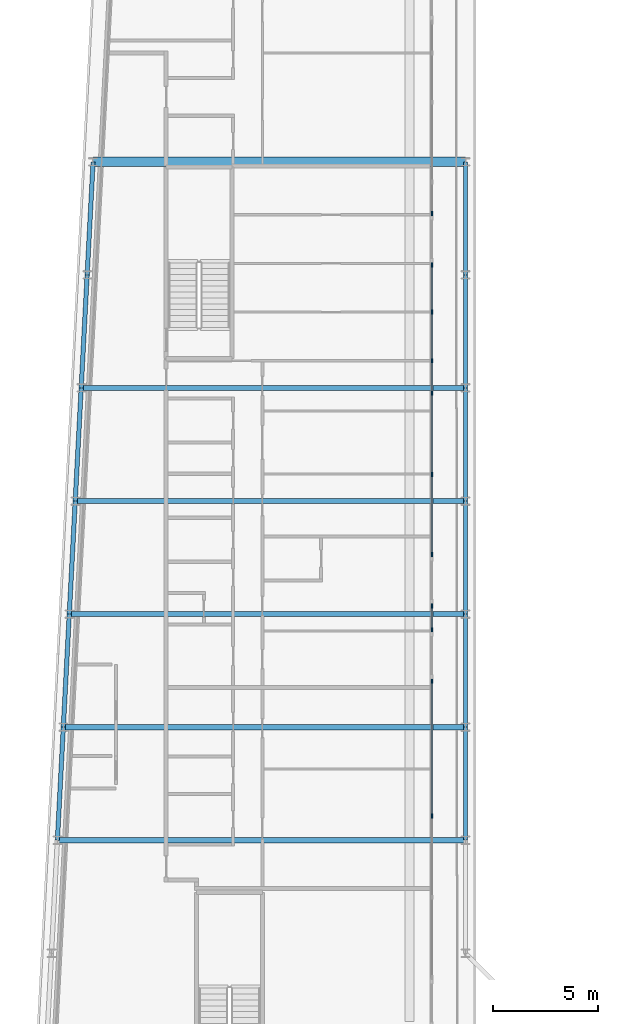
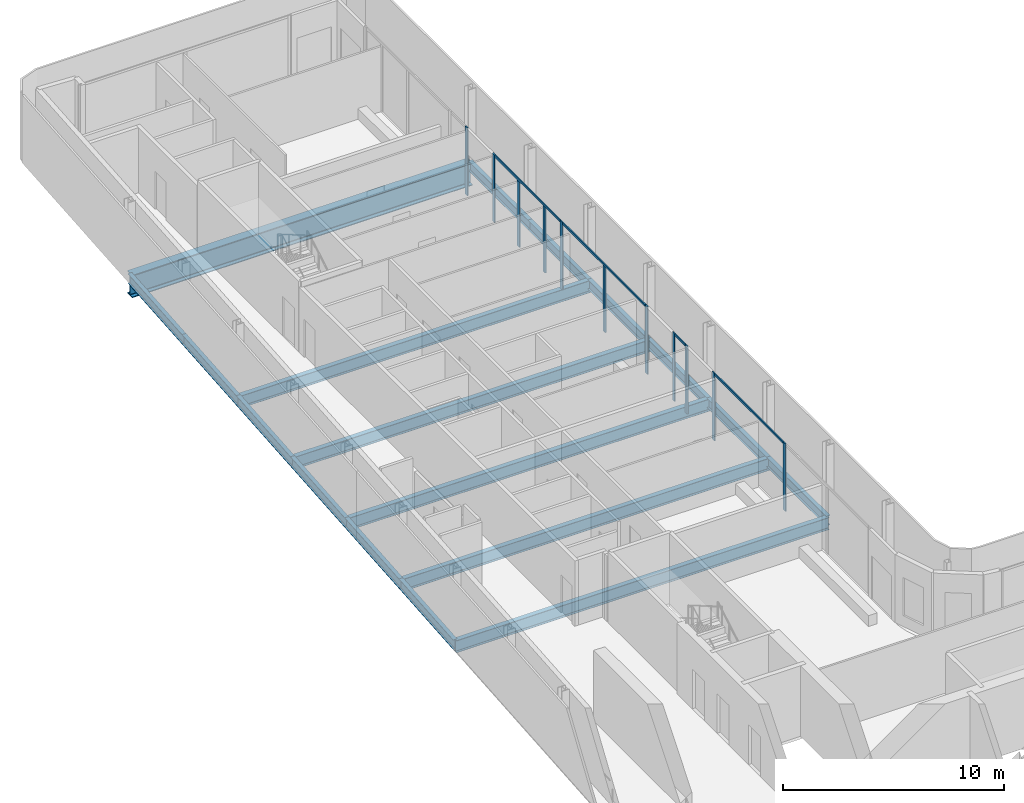
# One storey, part 7 of 21: 18 beams, 15 members, 5 elements without a shape of their own.
"""IFC4 building model written with IfcOpenShell, lengths in metres."""

import ifcopenshell
import ifcopenshell.guid

model = None  # the IFC model being written
_history = None  # IfcOwnerHistory: only IFC2X3 demands one
_inside = {}  # id of a spatial element -> (the spatial element, [elements in it])
_under = {}  # id of a project, library or spatial element -> (it, [spatial elements below it])
_declared = {}  # id of a project -> (the project, [libraries it declares])
_typed = {}  # id of a type object -> (the type object, [elements of that type])
_made_of = {}  # id of a material, layer set ... -> (it, [elements and type objects made of it])


def new_model(schema):
    """Start an empty IFC model of exactly this schema.

    Asked for "IFC4X3", IfcOpenShell would pick the latest addendum, in which some entities
    have other attributes; the version numbers below select the first issue.
    IFC2X3 requires an IfcOwnerHistory on every rooted entity: one is made here for all.
    """
    global model, _history
    if schema == "IFC4X3":
        model = ifcopenshell.file(schema_version=(4, 3, 0, 0))
    else:
        model = ifcopenshell.file(schema=schema)
    _inside.clear()
    _under.clear()
    _declared.clear()
    _typed.clear()
    _made_of.clear()
    _history = None
    if model.schema == "IFC2X3":
        org = make("IfcOrganization", Name="unknown")
        user = make(
            "IfcPersonAndOrganization",
            ThePerson=make("IfcPerson", FamilyName="unknown"),
            TheOrganization=org,
        )
        app = make(
            "IfcApplication",
            ApplicationDeveloper=org,
            Version="unknown",
            ApplicationFullName="unknown",
            ApplicationIdentifier="unknown",
        )
        _history = make(
            "IfcOwnerHistory",
            OwningUser=user,
            OwningApplication=app,
            ChangeAction="ADDED",
            CreationDate=0,
        )
    return model


def make(cls, **values):
    """One entity of the class cls with the attributes given. An attribute that is None is left unset."""
    return model.create_entity(
        cls, **{name: value for name, value in values.items() if value is not None}
    )


def rooted(cls, **values):
    """An entity with a GlobalId (a new one), such as an element, a storey or a relation."""
    return make(cls, GlobalId=ifcopenshell.guid.new(), OwnerHistory=_history, **values)


def si_unit(unit_type, name, prefix=None):
    """IfcSIUnit, for example si_unit("LENGTHUNIT", "METRE", prefix="MILLI")."""
    return make("IfcSIUnit", UnitType=unit_type, Prefix=prefix, Name=name)


def assignment(units):
    """IfcUnitAssignment: the units of a project."""
    return None if units is None else make("IfcUnitAssignment", Units=units)


def point(xyz):
    """IfcCartesianPoint."""
    return None if xyz is None else make("IfcCartesianPoint", Coordinates=xyz)


def direction(xyz):
    """IfcDirection."""
    return None if xyz is None else make("IfcDirection", DirectionRatios=xyz)


def frame(location, z_axis=None, x_axis=None):
    """IfcAxis2Placement3D, a coordinate frame: its origin and axes. An axis left out is left unset."""
    return make(
        "IfcAxis2Placement3D",
        Location=point(location),
        Axis=direction(z_axis),
        RefDirection=direction(x_axis),
    )


def frame_2d(location, x_axis=None):
    """IfcAxis2Placement2D, a coordinate frame in the plane: its origin and x axis."""
    return make(
        "IfcAxis2Placement2D", Location=point(location), RefDirection=direction(x_axis)
    )


def origin():
    """The frame at (0, 0, 0) with its axes left unset."""
    return frame((0.0, 0.0, 0.0))


def origin_2d():
    """The frame at (0, 0) in the plane with its x axis left unset."""
    return frame_2d((0.0, 0.0))


def place(relative_to, where):
    """IfcLocalPlacement: puts the frame where relative to a parent placement (None: the world)."""
    return make(
        "IfcLocalPlacement", PlacementRelTo=relative_to, RelativePlacement=where
    )


def context(
    kind, dimensions, precision=None, world=None, true_north=None, identifier=None
):
    """IfcGeometricRepresentationContext, for example the 3D "Model" context."""
    return make(
        "IfcGeometricRepresentationContext",
        ContextIdentifier=identifier,
        ContextType=kind,
        CoordinateSpaceDimension=dimensions,
        Precision=precision,
        WorldCoordinateSystem=world,
        TrueNorth=true_north,
    )


def subcontext(parent, identifier, kind, view, scale=None):
    """IfcGeometricRepresentationSubContext, for example "Body" below "Model"."""
    return make(
        "IfcGeometricRepresentationSubContext",
        ContextIdentifier=identifier,
        ContextType=kind,
        ParentContext=parent,
        TargetScale=scale,
        TargetView=view,
    )


def project(units=None, contexts=None):
    """IfcProject with its units and contexts."""
    return rooted(
        "IfcProject",
        Name="project",
        RepresentationContexts=contexts,
        UnitsInContext=assignment(units),
    )


def spatial(cls, under=None, at=None, **own):
    """A site, building, storey or space (cls), placed at a placement, below another one or the project."""
    s = rooted(cls, ObjectPlacement=at, **own)
    if under is not None:
        _under.setdefault(under.id(), (under, []))[1].append(s)
    return s


def profile(cls, at=None, kind="AREA", **sizes):
    """A parametric profile (cls). Its sizes go by their IFC names, for example OverallWidth=200.0."""
    return make(cls, ProfileType=kind, Position=at, **sizes)


def rectangle(**sizes):
    """IfcRectangleProfileDef."""
    return profile("IfcRectangleProfileDef", **sizes)


def i_section(**sizes):
    """IfcIShapeProfileDef."""
    return profile("IfcIShapeProfileDef", **sizes)


def extrude(swept, where, along, depth):
    """IfcExtrudedAreaSolid: the profile swept, set in the frame where, extruded along a direction by depth."""
    return make(
        "IfcExtrudedAreaSolid",
        SweptArea=swept,
        Position=where,
        ExtrudedDirection=direction(along),
        Depth=depth,
    )


def shape(context_of_items, identifier, shape_type, items):
    """IfcShapeRepresentation: the items that make up one representation, for example the "Body"."""
    return make(
        "IfcShapeRepresentation",
        ContextOfItems=context_of_items,
        RepresentationIdentifier=identifier,
        RepresentationType=shape_type,
        Items=items,
    )


def material(Name=None, Category=None):
    """IfcMaterial."""
    return make("IfcMaterial", Name=Name, Category=Category)


def layer(
    of_material, thickness, ventilated=None, Name=None, Category=None, Priority=None
):
    """IfcMaterialLayer: one layer of a wall or slab, of a material (None: an air gap)."""
    return make(
        "IfcMaterialLayer",
        Material=of_material,
        LayerThickness=thickness,
        IsVentilated=ventilated,
        Name=Name,
        Category=Category,
        Priority=Priority,
    )


def layer_set(layers, Name=None):
    """IfcMaterialLayerSet."""
    return make("IfcMaterialLayerSet", MaterialLayers=layers, LayerSetName=Name)


def material_profile(
    of_material, cross_section, Name=None, Category=None, Priority=None
):
    """IfcMaterialProfile: a cross section and its material."""
    return make(
        "IfcMaterialProfile",
        Name=Name,
        Material=of_material,
        Profile=cross_section,
        Priority=Priority,
        Category=Category,
    )


def profile_set(profiles, Name=None, composite=None):
    """IfcMaterialProfileSet."""
    return make(
        "IfcMaterialProfileSet",
        Name=Name,
        MaterialProfiles=profiles,
        CompositeProfile=composite,
    )


def made_of(thing, what):
    """Note that an element or type object is made of a material, layer set ...; save() writes the relation."""
    if what is not None:
        _made_of.setdefault(what.id(), (what, []))[1].append(thing)
    return thing


def type_object(cls, material=None, **own):
    """A type object (cls), such as IfcWallType, which elements share."""
    return made_of(rooted(cls, **own), material)


def element(
    cls,
    number,
    at=None,
    inside=None,
    cuts=None,
    type_object=None,
    material=None,
    context=None,
    identifier="Body",
    shape_type=None,
    held_by="IfcProductDefinitionShape",
    body=None,
    shapes=None,
    **own,
):
    """One element of the class cls, such as IfcWall. Its Tag is "e" and its number.

    at: its placement. inside: the storey or other place that contains it. cuts: it is an
    opening in that element (IfcRelVoidsElement). A single representation is given by context,
    identifier, shape_type and body (its items); several are given by shapes. held_by: the class
    of the entity that holds the representations. save() writes the other relations.
    """
    e = rooted(cls, Tag="e%d" % number, ObjectPlacement=at, **own)
    if body is not None:
        shapes = [shape(context, identifier, shape_type, body)]
    if shapes is not None:
        e.Representation = make(held_by, Representations=shapes)
    if inside is not None:
        _inside.setdefault(inside.id(), (inside, []))[1].append(e)
    if cuts is not None:
        rooted(
            "IfcRelVoidsElement", RelatingBuildingElement=cuts, RelatedOpeningElement=e
        )
    if type_object is not None:
        _typed.setdefault(type_object.id(), (type_object, []))[1].append(e)
    return made_of(e, material)


def aggregate(whole, parts):
    """IfcRelAggregates: a whole, such as a stair, and the parts it consists of."""
    return rooted("IfcRelAggregates", RelatingObject=whole, RelatedObjects=parts)


def save(model, path):
    """Write the relations noted so far, then the file.

    IfcRelAggregates (storeys below a building ...), IfcRelContainedInSpatialStructure (elements
    in a storey), IfcRelDefinesByType, IfcRelAssociatesMaterial and IfcRelDeclares: one each for
    every whole, place, type object, material and project.
    """
    for whole, parts in _under.values():
        aggregate(whole, parts)
    for where, things in _inside.values():
        rooted(
            "IfcRelContainedInSpatialStructure",
            RelatedElements=things,
            RelatingStructure=where,
        )
    for kind, things in _typed.values():
        rooted("IfcRelDefinesByType", RelatedObjects=things, RelatingType=kind)
    for what, things in _made_of.values():
        rooted("IfcRelAssociatesMaterial", RelatedObjects=things, RelatingMaterial=what)
    for by, libraries in _declared.values():
        rooted("IfcRelDeclares", RelatingContext=by, RelatedDefinitions=libraries)
    model.write(path)


model = new_model("IFC4")

# Units and contexts
model_context = context("Model", 3, precision=1e-05, world=origin(), true_north=direction((0.0, 1.0)))
body_context = subcontext(model_context, "Body", "Model", "MODEL_VIEW")
ifc_project = project(units=[si_unit("LENGTHUNIT", "METRE"), si_unit("AREAUNIT", "SQUARE_METRE"), si_unit("VOLUMEUNIT", "CUBIC_METRE"), si_unit("PLANEANGLEUNIT", "RADIAN"), si_unit("MASSUNIT", "GRAM", prefix="KILO")], contexts=[model_context])

# Site, building, storey
site_placement = place(None, origin())
site = spatial("IfcSite", under=ifc_project, at=site_placement, CompositionType="ELEMENT")
building_placement = place(site_placement, origin())
building = spatial("IfcBuilding", under=site, at=building_placement, Name="Kheshtan School and Residences Tower", CompositionType="ELEMENT")
storey_placement = place(building_placement, frame((0.0, 0.0, 278.60009765625)))
storey = spatial("IfcBuildingStorey", under=building, at=storey_placement, Name="L65", CompositionType="ELEMENT", Elevation=278.60009765625)

# Beams
ifc_material_1 = material(Name="Steel ASTM A992 Grade 50", Category="steel")
ifc_material_profile_1 = material_profile(ifc_material_1, i_section(OverallWidth=0.2529296875, OverallDepth=0.677978515625, WebThickness=0.01171875, FlangeThickness=0.016357421875, FilletRadius=0.0146484375, at=origin_2d()), Name="W690x125")
ifc_profile_set_1 = profile_set([ifc_material_profile_1], Name="Steel ASTM A992 Grade 50")
beam_type_1 = type_object("IfcBeamType", Name="Beam FB6 W690x125 ASTM A992 Grade 50", PredefinedType="BEAM", material=ifc_profile_set_1)
beam_1_placement = place(storey_placement, frame((47.60009765625, 78.0, -0.489013671875), z_axis=(-1.0, 0.0, 0.0), x_axis=(0.0, -1.0, 0.0)))
element("IfcBeam", 1, at=beam_1_placement, inside=storey, type_object=beam_type_1, Name="Floor beam C089", PredefinedType="BEAM", context=body_context, shape_type="SweptSolid", body=[
    extrude(i_section(OverallWidth=0.2529296875, OverallDepth=0.677978515625, WebThickness=0.01171875, FlangeThickness=0.016357421875, FilletRadius=0.0146484375, at=origin_2d()), origin(), (0.0, 0.0, 1.0), 18.357177734375),
])
beam_2_placement = place(storey_placement, frame((47.60009765625, 67.199951171875, -0.489013671875), z_axis=(-1.0, 0.0, 0.0), x_axis=(0.0, -1.0, 0.0)))
element("IfcBeam", 2, at=beam_2_placement, inside=storey, type_object=beam_type_1, Name="Floor beam C085", PredefinedType="BEAM", context=body_context, shape_type="SweptSolid", body=[
    extrude(i_section(OverallWidth=0.2529296875, OverallDepth=0.677978515625, WebThickness=0.01171875, FlangeThickness=0.016357421875, FilletRadius=0.0146484375, at=origin_2d()), origin(), (0.0, 0.0, 1.0), 18.926025390625),
])
beam_3_placement = place(storey_placement, frame((47.60009765625, 56.39990234375, -0.489013671875), z_axis=(-1.0, 0.0, 0.0), x_axis=(0.0, -1.0, 0.0)))
element("IfcBeam", 3, at=beam_3_placement, inside=storey, type_object=beam_type_1, Name="Floor beam C081", PredefinedType="BEAM", context=body_context, shape_type="SweptSolid", body=[
    extrude(i_section(OverallWidth=0.2529296875, OverallDepth=0.677978515625, WebThickness=0.01171875, FlangeThickness=0.016357421875, FilletRadius=0.0146484375, at=origin_2d()), origin(), (0.0, 0.0, 1.0), 19.494140625),
])
beam_4_placement = place(storey_placement, frame((28.389892578125, 61.800048828125, -0.489013671875), z_axis=(1.0, 0.0, 0.0), x_axis=(0.0, 1.0, 0.0)))
element("IfcBeam", 4, at=beam_4_placement, inside=storey, type_object=beam_type_1, Name="Floor beam C082", PredefinedType="BEAM", context=body_context, shape_type="SweptSolid", body=[
    extrude(i_section(OverallWidth=0.2529296875, OverallDepth=0.677978515625, WebThickness=0.01171875, FlangeThickness=0.016357421875, FilletRadius=0.0146484375, at=origin_2d()), origin(), (0.0, 0.0, 1.0), 19.210205078125),
])
beam_5_placement = place(storey_placement, frame((28.9580078125, 72.60009765625, -0.489013671875), z_axis=(1.0, 0.0, 0.0), x_axis=(0.0, 1.0, 0.0)))
element("IfcBeam", 5, at=beam_5_placement, inside=storey, type_object=beam_type_1, Name="Floor beam C086", PredefinedType="BEAM", context=body_context, shape_type="SweptSolid", body=[
    extrude(i_section(OverallWidth=0.2529296875, OverallDepth=0.677978515625, WebThickness=0.01171875, FlangeThickness=0.016357421875, FilletRadius=0.0146484375, at=origin_2d()), origin(), (0.0, 0.0, 1.0), 18.64208984375),
])
ifc_material_profile_2 = material_profile(ifc_material_1, i_section(OverallWidth=0.208984375, OverallDepth=0.532958984375, WebThickness=0.01025390625, FlangeThickness=0.015625, FilletRadius=0.013916015625, at=origin_2d()), Name="W530x92")
ifc_profile_set_2 = profile_set([ifc_material_profile_2], Name="Steel ASTM A992 Grade 50")
beam_type_2 = type_object("IfcBeamType", Name="Beam SP3 W530x92 ASTM A992 Grade 50", PredefinedType="BEAM", material=ifc_profile_set_2)
beam_6_placement = place(storey_placement, frame((47.60009765625, 88.800048828125, -0.41650390625), z_axis=(0.0, -1.0, 0.0), x_axis=(1.0, 0.0, 0.0)))
element("IfcBeam", 6, at=beam_6_placement, inside=storey, type_object=beam_type_2, Name="Spandrel beam C099-C091", PredefinedType="BEAM", context=body_context, shape_type="SweptSolid", body=[
    extrude(i_section(OverallWidth=0.208984375, OverallDepth=0.532958984375, WebThickness=0.01025390625, FlangeThickness=0.015625, FilletRadius=0.013916015625, at=origin_2d()), origin(), (0.0, 0.0, 1.0), 5.400146484375),
])
for number, where, z_axis, x_axis, name in (
    (7, (47.60009765625, 83.39990234375, -0.41650390625), (0.0, -1.0, 0.0), (1.0, 0.0, 0.0), "Spandrel beam C091-C089"),
    (8, (47.60009765625, 78.0, -0.41650390625), (0.0, -1.0, 0.0), (1.0, 0.0, 0.0), "Spandrel beam C089-C087"),
):
    element("IfcBeam", number, at=place(storey_placement, frame(where, z_axis=z_axis, x_axis=x_axis)), inside=storey, type_object=beam_type_2, Name=name, PredefinedType="BEAM", context=body_context, shape_type="SweptSolid", body=[
        extrude(i_section(OverallWidth=0.208984375, OverallDepth=0.532958984375, WebThickness=0.01025390625, FlangeThickness=0.015625, FilletRadius=0.013916015625, at=origin_2d()), origin(), (0.0, 0.0, 1.0), 5.39990234375),
    ])
beam_7_placement = place(storey_placement, frame((47.60009765625, 72.60009765625, -0.41650390625), z_axis=(0.0, -1.0, 0.0), x_axis=(1.0, 0.0, 0.0)))
element("IfcBeam", 9, at=beam_7_placement, inside=storey, type_object=beam_type_2, Name="Spandrel beam C087-C085", PredefinedType="BEAM", context=body_context, shape_type="SweptSolid", body=[
    extrude(i_section(OverallWidth=0.208984375, OverallDepth=0.532958984375, WebThickness=0.01025390625, FlangeThickness=0.015625, FilletRadius=0.013916015625, at=origin_2d()), origin(), (0.0, 0.0, 1.0), 5.400146484375),
])
beam_8_placement = place(storey_placement, frame((47.60009765625, 67.199951171875, -0.41650390625), z_axis=(0.0, -1.0, 0.0), x_axis=(1.0, 0.0, 0.0)))
element("IfcBeam", 10, at=beam_8_placement, inside=storey, type_object=beam_type_2, Name="Spandrel beam C085-C083", PredefinedType="BEAM", context=body_context, shape_type="SweptSolid", body=[
    extrude(i_section(OverallWidth=0.208984375, OverallDepth=0.532958984375, WebThickness=0.01025390625, FlangeThickness=0.015625, FilletRadius=0.013916015625, at=origin_2d()), origin(), (0.0, 0.0, 1.0), 5.39990234375),
])
beam_9_placement = place(storey_placement, frame((47.60009765625, 61.800048828125, -0.41650390625), z_axis=(0.0, -1.0, 0.0), x_axis=(1.0, 0.0, 0.0)))
element("IfcBeam", 11, at=beam_9_placement, inside=storey, type_object=beam_type_2, Name="Spandrel beam C083-C081", PredefinedType="BEAM", context=body_context, shape_type="SweptSolid", body=[
    extrude(i_section(OverallWidth=0.208984375, OverallDepth=0.532958984375, WebThickness=0.01025390625, FlangeThickness=0.015625, FilletRadius=0.013916015625, at=origin_2d()), origin(), (0.0, 0.0, 1.0), 5.400146484375),
])
beam_10_placement = place(storey_placement, frame((28.10595703125, 56.39990234375, -0.41650390625), z_axis=(0.05250670125, 0.998620571751, 0.0), x_axis=(-0.998620571751, 0.05250670125, 0.0)))
element("IfcBeam", 12, at=beam_10_placement, inside=storey, type_object=beam_type_2, Name="Spandrel beam C080-C082", PredefinedType="BEAM", context=body_context, shape_type="SweptSolid", body=[
    extrude(i_section(OverallWidth=0.208984375, OverallDepth=0.532958984375, WebThickness=0.01025390625, FlangeThickness=0.015625, FilletRadius=0.013916015625, at=origin_2d()), origin(), (0.0, 0.0, 1.0), 5.40771484375),
])
beam_11_placement = place(storey_placement, frame((28.389892578125, 61.800048828125, -0.41650390625), z_axis=(0.052554093665, 0.998618078766, 0.0), x_axis=(-0.998618078766, 0.052554093665, 0.0)))
element("IfcBeam", 13, at=beam_11_placement, inside=storey, type_object=beam_type_2, Name="Spandrel beam C082-C084", PredefinedType="BEAM", context=body_context, shape_type="SweptSolid", body=[
    extrude(i_section(OverallWidth=0.208984375, OverallDepth=0.532958984375, WebThickness=0.01025390625, FlangeThickness=0.015625, FilletRadius=0.013916015625, at=origin_2d()), origin(), (0.0, 0.0, 1.0), 5.407470703125),
])
beam_12_placement = place(storey_placement, frame((28.674072265625, 67.199951171875, -0.41650390625), z_axis=(0.05250670125, 0.998620571751, 0.0), x_axis=(-0.998620571751, 0.05250670125, 0.0)))
element("IfcBeam", 14, at=beam_12_placement, inside=storey, type_object=beam_type_2, Name="Spandrel beam C084-C086", PredefinedType="BEAM", context=body_context, shape_type="SweptSolid", body=[
    extrude(i_section(OverallWidth=0.208984375, OverallDepth=0.532958984375, WebThickness=0.01025390625, FlangeThickness=0.015625, FilletRadius=0.013916015625, at=origin_2d()), origin(), (0.0, 0.0, 1.0), 5.40771484375),
])
for number, where, z_axis, x_axis, name in (
    (15, (28.9580078125, 72.60009765625, -0.41650390625), (0.052689166816, 0.998610961136, 0.0), (-0.998610961136, 0.052689166816, 0.0), "Spandrel beam C086-C088"),
    (16, (29.242919921875, 78.0, -0.41650390625), (0.052554093665, 0.998618078766, 0.0), (-0.998618078766, 0.052554093665, 0.0), "Spandrel beam C088-C090"),
):
    element("IfcBeam", number, at=place(storey_placement, frame(where, z_axis=z_axis, x_axis=x_axis)), inside=storey, type_object=beam_type_2, Name=name, PredefinedType="BEAM", context=body_context, shape_type="SweptSolid", body=[
        extrude(i_section(OverallWidth=0.208984375, OverallDepth=0.532958984375, WebThickness=0.01025390625, FlangeThickness=0.015625, FilletRadius=0.013916015625, at=origin_2d()), origin(), (0.0, 0.0, 1.0), 5.407470703125),
    ])
beam_13_placement = place(storey_placement, frame((29.527099609375, 83.39990234375, -0.41650390625), z_axis=(0.05250670125, 0.998620571751, 0.0), x_axis=(-0.998620571751, 0.05250670125, 0.0)))
element("IfcBeam", 17, at=beam_13_placement, inside=storey, type_object=beam_type_2, Name="Spandrel beam C090-C098", PredefinedType="BEAM", context=body_context, shape_type="SweptSolid", body=[
    extrude(i_section(OverallWidth=0.208984375, OverallDepth=0.532958984375, WebThickness=0.01025390625, FlangeThickness=0.015625, FilletRadius=0.013916015625, at=origin_2d()), origin(), (0.0, 0.0, 1.0), 5.40771484375),
])

# Curtain wall, member
ifc_material_2 = material(Name="Clear low-e glass in thermally broken aluminium frame", Category="aluminium")
ifc_layer = layer(ifc_material_2, 0.199951171875)
ifc_layer_set = layer_set([ifc_layer], Name="Curtain wall CW-L")
curtain_wall_type = type_object("IfcCurtainWallType", Name="Curtain wall CW-L", PredefinedType="NOTDEFINED", material=ifc_layer_set)
curtain_wall_1_placement = place(storey_placement, origin())
curtain_wall_1 = element("IfcCurtainWall", 18, at=curtain_wall_1_placement, inside=storey, type_object=curtain_wall_type, Name="Curtain wall CWL8a", PredefinedType="NOTDEFINED")
ifc_material_3 = material(Name="Thermally broken aluminium, dark bronze anodised", Category="aluminium")
ifc_material_profile_3 = material_profile(ifc_material_3, rectangle(XDim=0.06005859375, YDim=0.199951171875, at=origin_2d()), Name="CW-L mullion 60x200")
ifc_profile_set_3 = profile_set([ifc_material_profile_3], Name="Thermally broken aluminium, dark bronze anodised")
member_type_1 = type_object("IfcMemberType", Name="CW-L mullion 60x200", PredefinedType="MULLION", material=ifc_profile_set_3)
member_1_placement = place(storey_placement, frame((46.0, 86.3359375, 0.0), z_axis=(0.0, 0.0, 1.0), x_axis=(1.0, 0.0, 0.0)))
member_1 = element("IfcMember", 19, at=member_1_placement, type_object=member_type_1, Name="CWL8a mullion 2", PredefinedType="MULLION", context=body_context, shape_type="SweptSolid", body=[
    extrude(rectangle(XDim=0.06005859375, YDim=0.199951171875, at=origin_2d()), origin(), (0.0, 0.0, 1.0), 3.75),
])
aggregate(curtain_wall_1, [member_1])

# Curtain wall, members
curtain_wall_2_placement = place(storey_placement, origin())
curtain_wall_2 = element("IfcCurtainWall", 20, at=curtain_wall_2_placement, inside=storey, type_object=curtain_wall_type, Name="Curtain wall CWL8b", PredefinedType="NOTDEFINED")
member_2_placement = place(storey_placement, frame((46.0, 83.8759765625, 0.0), z_axis=(0.0, 0.0, 1.0), x_axis=(1.0, 0.0, 0.0)))
member_2 = element("IfcMember", 21, at=member_2_placement, type_object=member_type_1, Name="CWL8b mullion 1", PredefinedType="MULLION", context=body_context, shape_type="SweptSolid", body=[
    extrude(rectangle(XDim=0.06005859375, YDim=0.199951171875, at=origin_2d()), origin(), (0.0, 0.0, 1.0), 3.75),
])
member_3_placement = place(storey_placement, frame((46.0, 81.625, 0.0), z_axis=(0.0, 0.0, 1.0), x_axis=(1.0, 0.0, 0.0)))
member_3 = element("IfcMember", 22, at=member_3_placement, type_object=member_type_1, Name="CWL8b mullion 2", PredefinedType="MULLION", context=body_context, shape_type="SweptSolid", body=[
    extrude(rectangle(XDim=0.06005859375, YDim=0.199951171875, at=origin_2d()), origin(), (0.0, 0.0, 1.0), 3.6298828125),
])
member_4_placement = place(storey_placement, frame((46.0, 79.300048828125, 0.0), z_axis=(0.0, 0.0, 1.0), x_axis=(1.0, 0.0, 0.0)))
member_4 = element("IfcMember", 23, at=member_4_placement, type_object=member_type_1, Name="CWL8b mullion 3", PredefinedType="MULLION", context=body_context, shape_type="SweptSolid", body=[
    extrude(rectangle(XDim=0.06005859375, YDim=0.199951171875, at=origin_2d()), origin(), (0.0, 0.0, 1.0), 3.6298828125),
])
member_5_placement = place(storey_placement, frame((46.0, 77.741943359375, 0.0), z_axis=(0.0, 0.0, 1.0), x_axis=(1.0, 0.0, 0.0)))
member_5 = element("IfcMember", 24, at=member_5_placement, type_object=member_type_1, Name="CWL8b mullion 4", PredefinedType="MULLION", context=body_context, shape_type="SweptSolid", body=[
    extrude(rectangle(XDim=0.06005859375, YDim=0.199951171875, at=origin_2d()), origin(), (0.0, 0.0, 1.0), 3.75),
])

curtain_wall_3_placement = place(storey_placement, origin())
curtain_wall_3 = element("IfcCurtainWall", 25, at=curtain_wall_3_placement, inside=storey, type_object=curtain_wall_type, Name="Curtain wall CWL8", PredefinedType="NOTDEFINED")
member_6_placement = place(storey_placement, frame((46.0, 73.864990234375, 0.0), z_axis=(0.0, 0.0, 1.0), x_axis=(1.0, 0.0, 0.0)))
member_6 = element("IfcMember", 26, at=member_6_placement, type_object=member_type_1, Name="CWL8 mullion 2", PredefinedType="MULLION", context=body_context, shape_type="SweptSolid", body=[
    extrude(rectangle(XDim=0.06005859375, YDim=0.199951171875, at=origin_2d()), origin(), (0.0, 0.0, 1.0), 3.6298828125),
])
member_7_placement = place(storey_placement, frame((46.0, 70.048095703125, 0.0), z_axis=(0.0, 0.0, 1.0), x_axis=(1.0, 0.0, 0.0)))
member_7 = element("IfcMember", 27, at=member_7_placement, type_object=member_type_1, Name="CWL8 mullion 3", PredefinedType="MULLION", context=body_context, shape_type="SweptSolid", body=[
    extrude(rectangle(XDim=0.06005859375, YDim=0.199951171875, at=origin_2d()), origin(), (0.0, 0.0, 1.0), 3.75),
])

curtain_wall_4_placement = place(storey_placement, origin())
curtain_wall_4 = element("IfcCurtainWall", 28, at=curtain_wall_4_placement, inside=storey, type_object=curtain_wall_type, Name="Curtain wall CWL8g", PredefinedType="NOTDEFINED")
member_8_placement = place(storey_placement, frame((46.0, 67.587890625, 0.0), z_axis=(0.0, 0.0, 1.0), x_axis=(1.0, 0.0, 0.0)))
member_8 = element("IfcMember", 29, at=member_8_placement, type_object=member_type_1, Name="CWL8g mullion 1", PredefinedType="MULLION", context=body_context, shape_type="SweptSolid", body=[
    extrude(rectangle(XDim=0.06005859375, YDim=0.199951171875, at=origin_2d()), origin(), (0.0, 0.0, 1.0), 3.75),
])
member_9_placement = place(storey_placement, frame((46.0, 66.447998046875, 0.0), z_axis=(0.0, 0.0, 1.0), x_axis=(1.0, 0.0, 0.0)))
member_9 = element("IfcMember", 30, at=member_9_placement, type_object=member_type_1, Name="CWL8g mullion 2", PredefinedType="MULLION", context=body_context, shape_type="SweptSolid", body=[
    extrude(rectangle(XDim=0.06005859375, YDim=0.199951171875, at=origin_2d()), origin(), (0.0, 0.0, 1.0), 3.75),
])

curtain_wall_5_placement = place(storey_placement, origin())
curtain_wall_5 = element("IfcCurtainWall", 31, at=curtain_wall_5_placement, inside=storey, type_object=curtain_wall_type, Name="Curtain wall CWL8h", PredefinedType="NOTDEFINED")
member_10_placement = place(storey_placement, frame((46.0, 63.988037109375, 0.0), z_axis=(0.0, 0.0, 1.0), x_axis=(1.0, 0.0, 0.0)))
member_10 = element("IfcMember", 32, at=member_10_placement, type_object=member_type_1, Name="CWL8h mullion 1", PredefinedType="MULLION", context=body_context, shape_type="SweptSolid", body=[
    extrude(rectangle(XDim=0.06005859375, YDim=0.199951171875, at=origin_2d()), origin(), (0.0, 0.0, 1.0), 3.75),
])
member_11_placement = place(storey_placement, frame((46.0, 57.553955078125, 0.0), z_axis=(0.0, 0.0, 1.0), x_axis=(1.0, 0.0, 0.0)))
member_11 = element("IfcMember", 33, at=member_11_placement, type_object=member_type_1, Name="CWL8h mullion 2", PredefinedType="MULLION", context=body_context, shape_type="SweptSolid", body=[
    extrude(rectangle(XDim=0.06005859375, YDim=0.199951171875, at=origin_2d()), origin(), (0.0, 0.0, 1.0), 3.75),
])

# Member
ifc_material_profile_4 = material_profile(ifc_material_3, rectangle(XDim=0.06005859375, YDim=0.1201171875, at=origin_2d()), Name="CW-L transom 60x120")
ifc_profile_set_4 = profile_set([ifc_material_profile_4], Name="Thermally broken aluminium, dark bronze anodised")
member_type_2 = type_object("IfcMemberType", Name="CW-L transom 60x120", PredefinedType="USERDEFINED", material=ifc_profile_set_4)
member_12_placement = place(storey_placement, frame((46.0, 83.845947265625, 3.68994140625), z_axis=(0.0, -1.0, 0.0), x_axis=(1.0, 0.0, 0.0)))
member_12 = element("IfcMember", 34, at=member_12_placement, type_object=member_type_2, Name="CWL8b transom 1", ObjectType="TRANSOM", PredefinedType="USERDEFINED", context=body_context, shape_type="SweptSolid", body=[
    extrude(rectangle(XDim=0.06005859375, YDim=0.1201171875, at=origin_2d()), origin(), (0.0, 0.0, 1.0), 6.073974609375),
])

aggregate(curtain_wall_2, [member_2, member_3, member_4, member_5, member_12])

member_13_placement = place(storey_placement, frame((46.0, 77.7119140625, 3.68994140625), z_axis=(0.0, -1.0, 0.0), x_axis=(1.0, 0.0, 0.0)))
member_13 = element("IfcMember", 35, at=member_13_placement, type_object=member_type_2, Name="CWL8 transom 1", ObjectType="TRANSOM", PredefinedType="USERDEFINED", context=body_context, shape_type="SweptSolid", body=[
    extrude(rectangle(XDim=0.06005859375, YDim=0.1201171875, at=origin_2d()), origin(), (0.0, 0.0, 1.0), 7.634033203125),
])

aggregate(curtain_wall_3, [member_6, member_7, member_13])

member_14_placement = place(storey_placement, frame((46.0, 67.55810546875, 3.68994140625), z_axis=(0.0, -1.0, 0.0), x_axis=(1.0, 0.0, 0.0)))
member_14 = element("IfcMember", 36, at=member_14_placement, type_object=member_type_2, Name="CWL8g transom 1", ObjectType="TRANSOM", PredefinedType="USERDEFINED", context=body_context, shape_type="SweptSolid", body=[
    extrude(rectangle(XDim=0.06005859375, YDim=0.1201171875, at=origin_2d()), origin(), (0.0, 0.0, 1.0), 1.080078125),
])

aggregate(curtain_wall_4, [member_8, member_9, member_14])

member_15_placement = place(storey_placement, frame((46.0, 63.9580078125, 3.68994140625), z_axis=(0.0, -1.0, 0.0), x_axis=(1.0, 0.0, 0.0)))
member_15 = element("IfcMember", 37, at=member_15_placement, type_object=member_type_2, Name="CWL8h transom 1", ObjectType="TRANSOM", PredefinedType="USERDEFINED", context=body_context, shape_type="SweptSolid", body=[
    extrude(rectangle(XDim=0.06005859375, YDim=0.1201171875, at=origin_2d()), origin(), (0.0, 0.0, 1.0), 6.3740234375),
])

aggregate(curtain_wall_5, [member_10, member_11, member_15])

# Beam
ifc_material_profile_5 = material_profile(ifc_material_1, i_section(OverallWidth=0.449951171875, OverallDepth=1.25, WebThickness=0.02490234375, FlangeThickness=0.044921875, FilletRadius=0.03759765625, at=origin_2d()), Name="WWF1250x546")
ifc_profile_set_5 = profile_set([ifc_material_profile_5], Name="Steel ASTM A992 Grade 50")
beam_type_3 = type_object("IfcBeamType", Name="Transfer girder TG4 WWF1250x546 ASTM A992 Grade 50", PredefinedType="BEAM", material=ifc_profile_set_5)
beam_14_placement = place(storey_placement, frame((29.81103515625, 88.800048828125, -0.775146484375), z_axis=(1.0, 0.0, 0.0), x_axis=(0.0, 1.0, 0.0)))
element("IfcBeam", 38, at=beam_14_placement, inside=storey, type_object=beam_type_3, Name="Transfer girder C098-C099", PredefinedType="BEAM", context=body_context, shape_type="SweptSolid", body=[
    extrude(i_section(OverallWidth=0.449951171875, OverallDepth=1.25, WebThickness=0.02490234375, FlangeThickness=0.044921875, FilletRadius=0.03759765625, at=origin_2d()), origin(), (0.0, 0.0, 1.0), 17.7890625),
])

save(model, "model.ifc")
